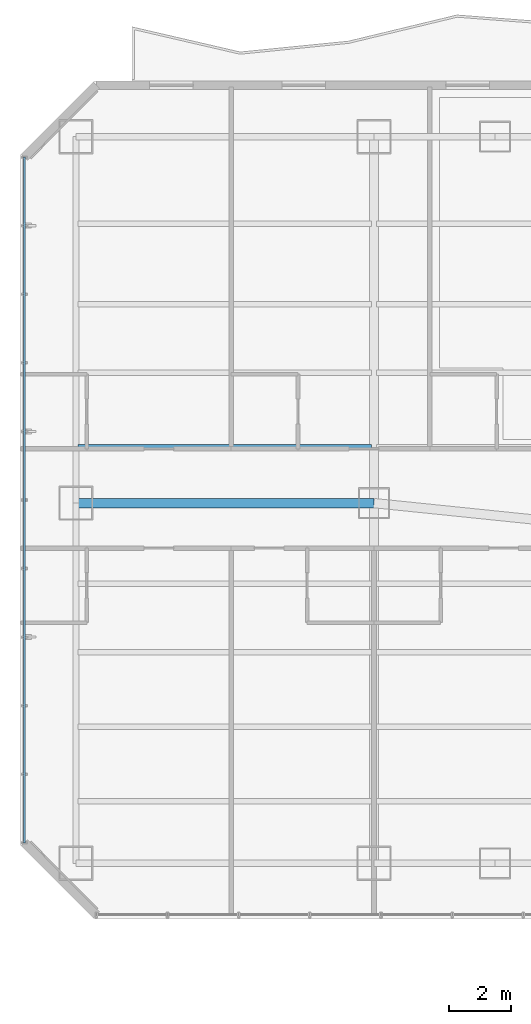
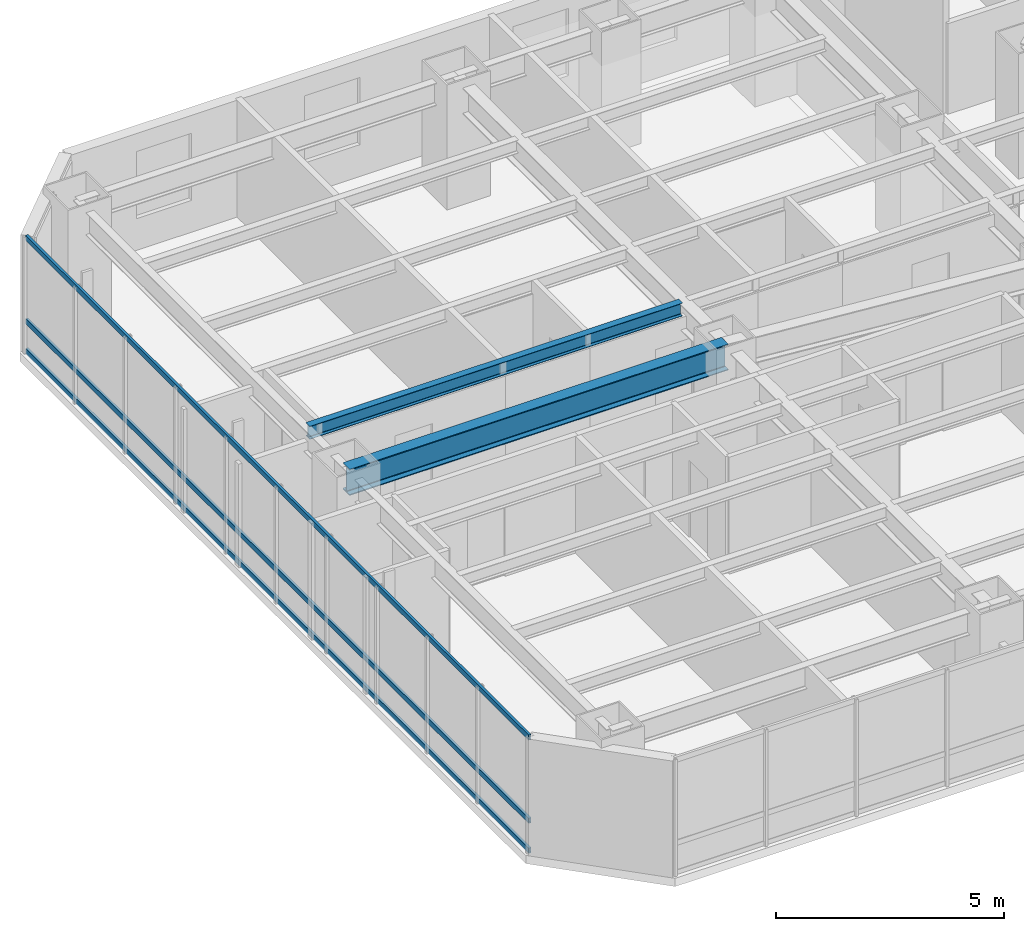
# One storey, part 13 of 37: 3 members, 2 beams, 1 element without a shape of its own.
"""IFC4 building model written with IfcOpenShell, lengths in metres."""

from ifc_helpers import new_model, si_unit, direction, frame, origin, origin_2d, place, context, subcontext, project, spatial, hollow_rectangle, i_section, extrude, material, layer, layer_set, material_profile, profile_set, type_object, element, aggregate, save


model = new_model("IFC4")

# Units and contexts
model_context = context("Model", 3, precision=1e-05, world=origin(), true_north=direction((0.0, 1.0)))
body_context = subcontext(model_context, "Body", "Model", "MODEL_VIEW")
ifc_project = project(units=[si_unit("LENGTHUNIT", "METRE"), si_unit("AREAUNIT", "SQUARE_METRE"), si_unit("VOLUMEUNIT", "CUBIC_METRE"), si_unit("PLANEANGLEUNIT", "RADIAN"), si_unit("MASSUNIT", "GRAM", prefix="KILO")], contexts=[model_context])

# Site, building, storey
site_placement = place(None, origin())
site = spatial("IfcSite", under=ifc_project, at=site_placement, CompositionType="ELEMENT")
building_placement = place(site_placement, origin())
building = spatial("IfcBuilding", under=site, at=building_placement, Name="Hatsunagi Terrace Concourse", CompositionType="ELEMENT")
storey_placement = place(building_placement, frame((0.0, 0.0, 50.0)))
storey = spatial("IfcBuildingStorey", under=building, at=storey_placement, Name="L12", CompositionType="ELEMENT", Elevation=50.0)

# Curtain wall, members
ifc_material_1 = material(Name="Anodised Aluminium Alloy 6063-T5", Category="aluminium")
ifc_layer = layer(ifc_material_1, 0.199951171875)
ifc_layer_set = layer_set([ifc_layer], Name="HotelFacade_CW02")
curtain_wall_type = type_object("IfcCurtainWallType", Name="HotelFacade_CW02", PredefinedType="NOTDEFINED", material=ifc_layer_set)
curtain_wall_placement = place(storey_placement, origin())
curtain_wall = element("IfcCurtainWall", 1, at=curtain_wall_placement, inside=storey, type_object=curtain_wall_type, Name="Unitised Curtain Wall CW-02 CW-L12-09", PredefinedType="NOTDEFINED")
ifc_material_2 = material(Name="Anodised Aluminium Alloy 6063-T5", Category="aluminium")
ifc_material_profile_1 = material_profile(ifc_material_2, hollow_rectangle(XDim=0.06494140625, YDim=0.139892578125, WallThickness=0.00390625, at=origin_2d()), Name="ALU-TRN-140x65x4")
ifc_profile_set_1 = profile_set([ifc_material_profile_1], Name="Anodised Aluminium Alloy 6063-T5")
member_type = type_object("IfcMemberType", Name="CurtainWallTransom_140x65", PredefinedType="USERDEFINED", material=ifc_profile_set_1)
member_1_placement = place(storey_placement, frame((0.139892578125, 25.85791015625, 0.050048828125), z_axis=(0.0, 1.0, 0.0), x_axis=(-1.0, 0.0, 0.0)))
member_1 = element("IfcMember", 2, at=member_1_placement, type_object=member_type, Name="Curtain Wall Transom TRN-02", ObjectType="TRANSOM", PredefinedType="USERDEFINED", context=body_context, shape_type="SweptSolid", body=[
    extrude(hollow_rectangle(XDim=0.06494140625, YDim=0.139892578125, WallThickness=0.00390625, at=origin_2d()), origin(), (0.0, 0.0, 1.0), 22.083984375),
])
member_2_placement = place(storey_placement, frame((0.139892578125, 25.85791015625, 0.85009765625), z_axis=(0.0, 1.0, 0.0), x_axis=(-1.0, 0.0, 0.0)))
member_2 = element("IfcMember", 3, at=member_2_placement, type_object=member_type, Name="Curtain Wall Transom TRN-02", ObjectType="TRANSOM", PredefinedType="USERDEFINED", context=body_context, shape_type="SweptSolid", body=[
    extrude(hollow_rectangle(XDim=0.06494140625, YDim=0.139892578125, WallThickness=0.00390625, at=origin_2d()), origin(), (0.0, 0.0, 1.0), 22.083984375),
])
member_3_placement = place(storey_placement, frame((0.139892578125, 25.85791015625, 3.080078125), z_axis=(0.0, 1.0, 0.0), x_axis=(-1.0, 0.0, 0.0)))
member_3 = element("IfcMember", 4, at=member_3_placement, type_object=member_type, Name="Curtain Wall Transom TRN-02", ObjectType="TRANSOM", PredefinedType="USERDEFINED", context=body_context, shape_type="SweptSolid", body=[
    extrude(hollow_rectangle(XDim=0.06494140625, YDim=0.139892578125, WallThickness=0.00390625, at=origin_2d()), origin(), (0.0, 0.0, 1.0), 22.083984375),
])
aggregate(curtain_wall, [member_1, member_2, member_3])

# Beams
ifc_material_3 = material(Name="Steel SN490B", Category="steel")
ifc_material_profile_2 = material_profile(ifc_material_3, i_section(OverallWidth=0.300048828125, OverallDepth=0.699951171875, WebThickness=0.012939453125, FlangeThickness=0.02392578125, FilletRadius=0.02197265625, at=origin_2d()), Name="H-700x300x13x24")
ifc_profile_set_2 = profile_set([ifc_material_profile_2], Name="Steel SN490B")
beam_type_1 = type_object("IfcBeamType", Name="HotelFloorGirder_H_700x300", PredefinedType="BEAM", material=ifc_profile_set_2)
beam_1_placement = place(storey_placement, frame((1.800048828125, 36.800048828125, 2.780029296875), z_axis=(1.0, 0.0, 0.0), x_axis=(0.0, 1.0, 0.0)))
element("IfcBeam", 5, at=beam_1_placement, inside=storey, type_object=beam_type_1, Name="Beam G-04 BM-L12-EW-1", PredefinedType="BEAM", context=body_context, shape_type="SweptSolid", body=[
    extrude(i_section(OverallWidth=0.300048828125, OverallDepth=0.699951171875, WebThickness=0.012939453125, FlangeThickness=0.02392578125, FilletRadius=0.02197265625, at=origin_2d()), origin(), (0.0, 0.0, 1.0), 9.599853515625),
])
ifc_material_4 = material(Name="Steel SN490B", Category="steel")
ifc_material_profile_3 = material_profile(ifc_material_4, i_section(OverallWidth=0.175048828125, OverallDepth=0.35009765625, WebThickness=0.007080078125, FlangeThickness=0.010986328125, FilletRadius=0.012939453125, at=origin_2d()), Name="H-350x175x7x11")
ifc_profile_set_3 = profile_set([ifc_material_profile_3], Name="Steel SN490B")
beam_type_2 = type_object("IfcBeamType", Name="HotelJoist_H_350x175", PredefinedType="JOIST", material=ifc_profile_set_3)
beam_2_placement = place(storey_placement, frame((1.864990234375, 38.60009765625, 2.955078125), z_axis=(1.0, 0.0, 0.0), x_axis=(0.0, 1.0, 0.0)))
element("IfcBeam", 6, at=beam_2_placement, inside=storey, type_object=beam_type_2, Name="Beam J-02 J-L12-W-1-386", PredefinedType="JOIST", context=body_context, shape_type="SweptSolid", body=[
    extrude(i_section(OverallWidth=0.175048828125, OverallDepth=0.35009765625, WebThickness=0.007080078125, FlangeThickness=0.010986328125, FilletRadius=0.012939453125, at=origin_2d()), origin(), (0.0, 0.0, 1.0), 9.449951171875),
])

save(model, "model.ifc")
